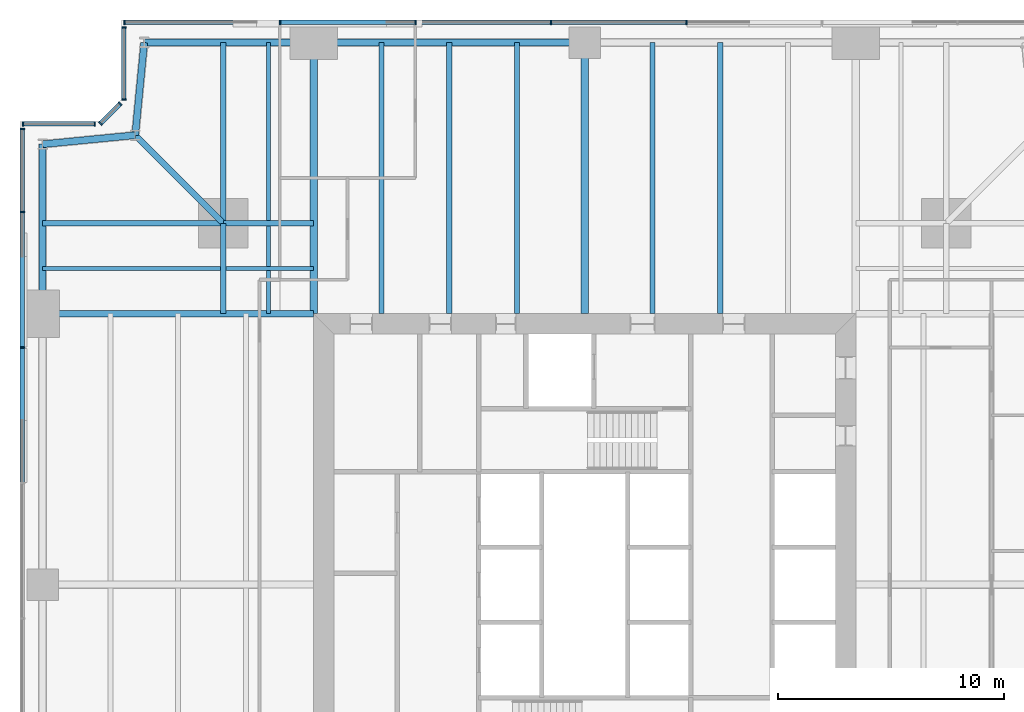
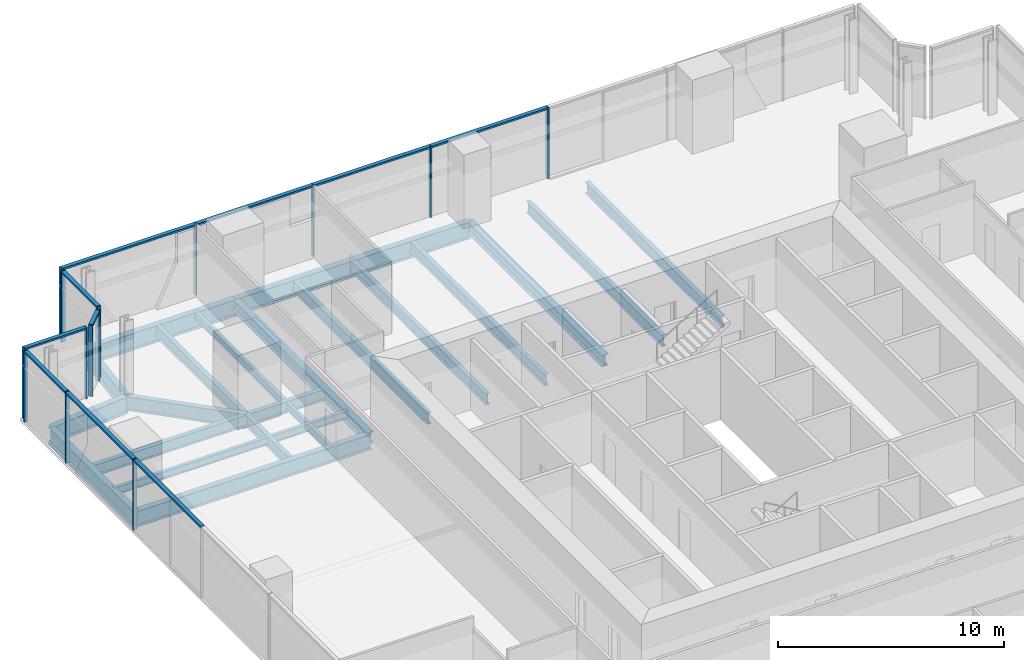
# One storey, part 6 of 13: 24 members, 23 beams, 5 elements without a shape of their own.
"""IFC4 building model written with IfcOpenShell, lengths in metres."""

from ifc_helpers import new_model, si_unit, direction, frame, origin, origin_2d, place, context, subcontext, project, spatial, rectangle, i_section, extrude, material, material_profile, profile_set, type_object, element, aggregate, save


model = new_model("IFC4")

# Units and contexts
model_context = context("Model", 3, precision=1e-05, world=origin(), true_north=direction((0.0, 1.0)))
body_context = subcontext(model_context, "Body", "Model", "MODEL_VIEW")
ifc_project = project(units=[si_unit("LENGTHUNIT", "METRE"), si_unit("AREAUNIT", "SQUARE_METRE"), si_unit("VOLUMEUNIT", "CUBIC_METRE"), si_unit("PLANEANGLEUNIT", "RADIAN"), si_unit("MASSUNIT", "GRAM", prefix="KILO")], contexts=[model_context])

# Site, building, storey
site_placement = place(None, origin())
site = spatial("IfcSite", under=ifc_project, at=site_placement, CompositionType="ELEMENT")
building_placement = place(site_placement, origin())
building = spatial("IfcBuilding", under=site, at=building_placement, Name="Fenwick Lantern Interchange", CompositionType="ELEMENT")
storey_placement = place(building_placement, frame((0.0, 0.0, 126.39990234375)))
storey = spatial("IfcBuildingStorey", under=building, at=storey_placement, Name="L29", CompositionType="ELEMENT", Elevation=126.39990234375)

# Beams
ifc_material_1 = material(Name="Steel ASTM A992 Grade 50", Category="steel")
ifc_material_profile_1 = material_profile(ifc_material_1, i_section(OverallWidth=0.3046875, OverallDepth=0.911865234375, WebThickness=0.015869140625, FlangeThickness=0.02392578125, at=origin_2d()), Name="W36X150")
ifc_profile_set_1 = profile_set([ifc_material_profile_1], Name="Steel ASTM A992 Grade 50")
beam_type_1 = type_object("IfcBeamType", Name="EDGE BEAM W36X150", PredefinedType="SPANDREL", material=ifc_profile_set_1)
beam_1_placement = place(storey_placement, frame((25.0, 49.0, -0.605712890625), z_axis=(-1.0, 0.0, 0.0), x_axis=(0.0, -1.0, 0.0)))
element("IfcBeam", 1, at=beam_1_placement, inside=storey, type_object=beam_type_1, Name="L29/FR/N/EB3", PredefinedType="SPANDREL", context=body_context, shape_type="SweptSolid", body=[
    extrude(i_section(OverallWidth=0.3046875, OverallDepth=0.911865234375, WebThickness=0.015869140625, FlangeThickness=0.02392578125, at=origin_2d()), origin(), (0.0, 0.0, 1.0), 12.0),
])
beam_2_placement = place(storey_placement, frame((13.0, 49.0, -0.605712890625), z_axis=(-1.0, 0.0, 0.0), x_axis=(0.0, -1.0, 0.0)))
element("IfcBeam", 2, at=beam_2_placement, inside=storey, type_object=beam_type_1, Name="L29/FR/N/EB4", PredefinedType="SPANDREL", context=body_context, shape_type="SweptSolid", body=[
    extrude(i_section(OverallWidth=0.3046875, OverallDepth=0.911865234375, WebThickness=0.015869140625, FlangeThickness=0.02392578125, at=origin_2d()), origin(), (0.0, 0.0, 1.0), 7.5),
])
for number, where, z_axis, x_axis, name in (
    (3, (5.5, 49.0, -0.605712890625), (-0.097074191287, -0.995277148028, 0.0), (0.995277148028, -0.097074191287, 0.0), "L29/FR/N/EBR1"),
    (4, (5.10009765625, 44.89990234375, -0.605712890625), (-0.995277148028, -0.097074191287, 0.0), (0.097074191287, -0.995277148028, 0.0), "L29/FR/N/EBR2"),
):
    element("IfcBeam", number, at=place(storey_placement, frame(where, z_axis=z_axis, x_axis=x_axis)), inside=storey, type_object=beam_type_1, Name=name, PredefinedType="SPANDREL", context=body_context, shape_type="SweptSolid", body=[
        extrude(i_section(OverallWidth=0.3046875, OverallDepth=0.911865234375, WebThickness=0.015869140625, FlangeThickness=0.02392578125, at=origin_2d()), origin(), (0.0, 0.0, 1.0), 4.11962890625),
    ])
beam_3_placement = place(storey_placement, frame((1.0, 44.5, -0.605712890625), z_axis=(0.0, -1.0, 0.0), x_axis=(1.0, 0.0, 0.0)))
element("IfcBeam", 5, at=beam_3_placement, inside=storey, type_object=beam_type_1, Name="L29/FR/W/EB1", PredefinedType="SPANDREL", context=body_context, shape_type="SweptSolid", body=[
    extrude(i_section(OverallWidth=0.3046875, OverallDepth=0.911865234375, WebThickness=0.015869140625, FlangeThickness=0.02392578125, at=origin_2d()), origin(), (0.0, 0.0, 1.0), 7.5),
])
ifc_material_profile_2 = material_profile(ifc_material_1, i_section(OverallWidth=0.22900390625, OverallDepth=0.612060546875, WebThickness=0.011962890625, FlangeThickness=0.01953125, at=origin_2d()), Name="W24X84")
ifc_profile_set_2 = profile_set([ifc_material_profile_2], Name="Steel ASTM A992 Grade 50")
beam_type_2 = type_object("IfcBeamType", Name="FLOOR BEAM W24X84", PredefinedType="BEAM", material=ifc_profile_set_2)
for number, where, z_axis, x_axis, name in (
    (6, (31.0, 49.0, -0.4560546875), (0.0, -1.0, 0.0), (1.0, 0.0, 0.0), "L29/FR/N/R03"),
    (7, (28.0, 49.0, -0.4560546875), (0.0, -1.0, 0.0), (1.0, 0.0, 0.0), "L29/FR/N/R04"),
    (8, (22.0, 49.0, -0.4560546875), (0.0, -1.0, 0.0), (1.0, 0.0, 0.0), "L29/FR/N/R06"),
    (9, (19.0, 49.0, -0.4560546875), (0.0, -1.0, 0.0), (1.0, 0.0, 0.0), "L29/FR/N/R07"),
    (10, (16.0, 49.0, -0.4560546875), (0.0, -1.0, 0.0), (1.0, 0.0, 0.0), "L29/FR/N/R08"),
):
    element("IfcBeam", number, at=place(storey_placement, frame(where, z_axis=z_axis, x_axis=x_axis)), inside=storey, type_object=beam_type_2, Name=name, PredefinedType="BEAM", context=body_context, shape_type="SweptSolid", body=[
        extrude(i_section(OverallWidth=0.22900390625, OverallDepth=0.612060546875, WebThickness=0.011962890625, FlangeThickness=0.01953125, at=origin_2d()), origin(), (0.0, 0.0, 1.0), 12.0),
    ])
ifc_material_profile_3 = material_profile(ifc_material_1, i_section(OverallWidth=0.177734375, OverallDepth=0.406494140625, WebThickness=0.0078125, FlangeThickness=0.012939453125, at=origin_2d()), Name="W16X40")
ifc_profile_set_3 = profile_set([ifc_material_profile_3], Name="Steel ASTM A992 Grade 50")
beam_type_3 = type_object("IfcBeamType", Name="INFILL BEAM W16X40", PredefinedType="JOIST", material=ifc_profile_set_3)
beam_4_placement = place(storey_placement, frame((1.0, 39.0, -0.35302734375), z_axis=(1.0, 0.0, 0.0), x_axis=(0.0, 1.0, 0.0)))
element("IfcBeam", 11, at=beam_4_placement, inside=storey, type_object=beam_type_3, Name="L29/FR/W/J1", PredefinedType="JOIST", context=body_context, shape_type="SweptSolid", body=[
    extrude(i_section(OverallWidth=0.177734375, OverallDepth=0.406494140625, WebThickness=0.0078125, FlangeThickness=0.012939453125, at=origin_2d()), origin(), (0.0, 0.0, 1.0), 7.885498046875),
])
beam_5_placement = place(storey_placement, frame((9.114501953125, 39.0, -0.35302734375), z_axis=(1.0, 0.0, 0.0), x_axis=(0.0, 1.0, 0.0)))
element("IfcBeam", 12, at=beam_5_placement, inside=storey, type_object=beam_type_3, Name="L29/FR/W/J2", PredefinedType="JOIST", context=body_context, shape_type="SweptSolid", body=[
    extrude(i_section(OverallWidth=0.177734375, OverallDepth=0.406494140625, WebThickness=0.0078125, FlangeThickness=0.012939453125, at=origin_2d()), origin(), (0.0, 0.0, 1.0), 3.885498046875),
])
beam_6_placement = place(storey_placement, frame((11.0, 49.0, -0.35302734375), z_axis=(0.0, -1.0, 0.0), x_axis=(1.0, 0.0, 0.0)))
element("IfcBeam", 13, at=beam_6_placement, inside=storey, type_object=beam_type_3, Name="L29/FR/W/J3", PredefinedType="JOIST", context=body_context, shape_type="SweptSolid", body=[
    extrude(i_section(OverallWidth=0.177734375, OverallDepth=0.406494140625, WebThickness=0.0078125, FlangeThickness=0.012939453125, at=origin_2d()), origin(), (0.0, 0.0, 1.0), 7.885498046875),
])
beam_7_placement = place(storey_placement, frame((11.0, 40.885498046875, -0.35302734375), z_axis=(0.0, -1.0, 0.0), x_axis=(1.0, 0.0, 0.0)))
element("IfcBeam", 14, at=beam_7_placement, inside=storey, type_object=beam_type_3, Name="L29/FR/W/J4", PredefinedType="JOIST", context=body_context, shape_type="SweptSolid", body=[
    extrude(i_section(OverallWidth=0.177734375, OverallDepth=0.406494140625, WebThickness=0.0078125, FlangeThickness=0.012939453125, at=origin_2d()), origin(), (0.0, 0.0, 1.0), 1.796630859375),
])
beam_8_placement = place(storey_placement, frame((11.0, 38.9111328125, -0.35302734375), z_axis=(0.0, -1.0, 0.0), x_axis=(1.0, 0.0, 0.0)))
element("IfcBeam", 15, at=beam_8_placement, inside=storey, type_object=beam_type_3, Name="L29/FR/W/J5", PredefinedType="JOIST", context=body_context, shape_type="SweptSolid", body=[
    extrude(i_section(OverallWidth=0.177734375, OverallDepth=0.406494140625, WebThickness=0.0078125, FlangeThickness=0.012939453125, at=origin_2d()), origin(), (0.0, 0.0, 1.0), 1.9111328125),
])
ifc_material_profile_4 = material_profile(ifc_material_1, i_section(OverallWidth=0.22900390625, OverallDepth=0.612060546875, WebThickness=0.011962890625, FlangeThickness=0.01953125, at=origin_2d()), Name="W24X84")
ifc_profile_set_4 = profile_set([ifc_material_profile_4], Name="Steel ASTM A992 Grade 50")
beam_type_4 = type_object("IfcBeamType", Name="MEGA COLUMN BEAM W24X84", PredefinedType="BEAM", material=ifc_profile_set_4)
for number, where, z_axis, x_axis, name in (
    (16, (9.0, 41.0, -0.4560546875), (-1.0, 0.0, 0.0), (0.0, -1.0, 0.0), "L29/FR/W/MB1"),
    (17, (9.0, 41.0, -0.4560546875), (0.0, 1.0, 0.0), (-1.0, 0.0, 0.0), "L29/FR/W/MB2"),
):
    element("IfcBeam", number, at=place(storey_placement, frame(where, z_axis=z_axis, x_axis=x_axis)), inside=storey, type_object=beam_type_4, Name=name, PredefinedType="BEAM", context=body_context, shape_type="SweptSolid", body=[
        extrude(i_section(OverallWidth=0.22900390625, OverallDepth=0.612060546875, WebThickness=0.011962890625, FlangeThickness=0.01953125, at=origin_2d()), origin(), (0.0, 0.0, 1.0), 8.0),
    ])
for number, where, z_axis, x_axis, name in (
    (18, (9.0, 41.0, -0.4560546875), (0.0, -1.0, 0.0), (1.0, 0.0, 0.0), "L29/FR/W/MB3"),
    (19, (9.0, 41.0, -0.4560546875), (1.0, 0.0, 0.0), (0.0, 1.0, 0.0), "L29/FR/W/MB4"),
):
    element("IfcBeam", number, at=place(storey_placement, frame(where, z_axis=z_axis, x_axis=x_axis)), inside=storey, type_object=beam_type_4, Name=name, PredefinedType="BEAM", context=body_context, shape_type="SweptSolid", body=[
        extrude(i_section(OverallWidth=0.22900390625, OverallDepth=0.612060546875, WebThickness=0.011962890625, FlangeThickness=0.01953125, at=origin_2d()), origin(), (0.0, 0.0, 1.0), 4.0),
    ])
ifc_material_profile_5 = material_profile(ifc_material_1, i_section(OverallWidth=0.32763671875, OverallDepth=0.622314453125, WebThickness=0.015380859375, FlangeThickness=0.0244140625, at=origin_2d()), Name="W24X131")
ifc_profile_set_5 = profile_set([ifc_material_profile_5], Name="Steel ASTM A992 Grade 50")
beam_type_5 = type_object("IfcBeamType", Name="MOMENT-CONNECTED GIRDER W24X131", PredefinedType="BEAM", material=ifc_profile_set_5)
for number, where, z_axis, x_axis, name in (
    (20, (25.0, 49.0, -0.4609375), (0.0, -1.0, 0.0), (1.0, 0.0, 0.0), "L29/FR/N/R05"),
    (21, (13.0, 49.0, -0.4609375), (0.0, -1.0, 0.0), (1.0, 0.0, 0.0), "L29/FR/N/R09"),
):
    element("IfcBeam", number, at=place(storey_placement, frame(where, z_axis=z_axis, x_axis=x_axis)), inside=storey, type_object=beam_type_5, Name=name, PredefinedType="BEAM", context=body_context, shape_type="SweptSolid", body=[
        extrude(i_section(OverallWidth=0.32763671875, OverallDepth=0.622314453125, WebThickness=0.015380859375, FlangeThickness=0.0244140625, at=origin_2d()), origin(), (0.0, 0.0, 1.0), 12.0),
    ])
ifc_material_profile_6 = material_profile(ifc_material_1, i_section(OverallWidth=0.2919921875, OverallDepth=0.845703125, WebThickness=0.015380859375, FlangeThickness=0.0244140625, at=origin_2d()), Name="W33X141")
ifc_profile_set_6 = profile_set([ifc_material_profile_6], Name="Steel ASTM A992 Grade 50")
beam_type_6 = type_object("IfcBeamType", Name="MOMENT-CONNECTED GIRDER W33X141", PredefinedType="BEAM", material=ifc_profile_set_6)
beam_9_placement = place(storey_placement, frame((1.0, 37.0, -0.57275390625), z_axis=(1.0, 0.0, 0.0), x_axis=(0.0, 1.0, 0.0)))
element("IfcBeam", 22, at=beam_9_placement, inside=storey, type_object=beam_type_6, Name="L29/FR/W/R01", PredefinedType="BEAM", context=body_context, shape_type="SweptSolid", body=[
    extrude(i_section(OverallWidth=0.2919921875, OverallDepth=0.845703125, WebThickness=0.015380859375, FlangeThickness=0.0244140625, at=origin_2d()), origin(), (0.0, 0.0, 1.0), 12.0),
])
ifc_material_profile_7 = material_profile(ifc_material_1, i_section(OverallWidth=0.2666015625, OverallDepth=0.7568359375, WebThickness=0.013916015625, FlangeThickness=0.019287109375, at=origin_2d()), Name="W30X108")
ifc_profile_set_7 = profile_set([ifc_material_profile_7], Name="Steel ASTM A992 Grade 50")
beam_type_7 = type_object("IfcBeamType", Name="NOTCH BEAM W30X108", PredefinedType="BEAM", material=ifc_profile_set_7)
beam_10_placement = place(storey_placement, frame((9.0, 41.0, -0.5283203125), z_axis=(-0.707106781187, 0.707106781187, 0.0), x_axis=(-0.707106781187, -0.707106781187, 0.0)))
element("IfcBeam", 23, at=beam_10_placement, inside=storey, type_object=beam_type_7, Name="L29/FR/W/TG", PredefinedType="BEAM", context=body_context, shape_type="SweptSolid", body=[
    extrude(i_section(OverallWidth=0.2666015625, OverallDepth=0.7568359375, WebThickness=0.013916015625, FlangeThickness=0.019287109375, at=origin_2d()), origin(), (0.0, 0.0, 1.0), 5.515380859375),
])

# Curtain wall, members
ifc_material_2 = material(Name="Aluminium curtain wall frame", Category="aluminium")
curtain_wall_type = type_object("IfcCurtainWallType", Name="OFFICE CURTAIN WALL", PredefinedType="USERDEFINED", material=ifc_material_2)
curtain_wall_1_placement = place(storey_placement, origin())
curtain_wall_1 = element("IfcCurtainWall", 24, at=curtain_wall_1_placement, inside=storey, type_object=curtain_wall_type, Name="Office curtain wall 09", ObjectType="OFFICE CURTAIN WALL", PredefinedType="USERDEFINED")
ifc_material_3 = material(Name="Aluminium extrusion", Category="aluminium")
ifc_material_profile_8 = material_profile(ifc_material_3, rectangle(XDim=0.199951171875, YDim=0.06494140625, at=origin_2d()), Name="OFFICE CURTAIN WALL MULLION 65 X 200")
ifc_profile_set_8 = profile_set([ifc_material_profile_8], Name="Aluminium extrusion")
member_type_1 = type_object("IfcMemberType", Name="OFFICE CURTAIN WALL MULLION 65 X 200", PredefinedType="MULLION", material=ifc_profile_set_8)
member_1_placement = place(storey_placement, frame((29.5, 49.89990234375, 0.0), z_axis=(0.0, 0.0, 1.0), x_axis=(0.0, -1.0, 0.0)))
member_1 = element("IfcMember", 25, at=member_1_placement, type_object=member_type_1, Name="L29/CW/09/M03", PredefinedType="MULLION", context=body_context, shape_type="SweptSolid", body=[
    extrude(rectangle(XDim=0.199951171875, YDim=0.06494140625, at=origin_2d()), origin(), (0.0, 0.0, 1.0), 3.85009765625),
])
member_2_placement = place(storey_placement, frame((23.5, 49.89990234375, 0.0), z_axis=(0.0, 0.0, 1.0), x_axis=(0.0, -1.0, 0.0)))
member_2 = element("IfcMember", 26, at=member_2_placement, type_object=member_type_1, Name="L29/CW/09/M04", PredefinedType="MULLION", context=body_context, shape_type="SweptSolid", body=[
    extrude(rectangle(XDim=0.199951171875, YDim=0.06494140625, at=origin_2d()), origin(), (0.0, 0.0, 1.0), 3.85009765625),
])
member_3_placement = place(storey_placement, frame((17.5, 49.89990234375, 0.0), z_axis=(0.0, 0.0, 1.0), x_axis=(0.0, -1.0, 0.0)))
member_3 = element("IfcMember", 27, at=member_3_placement, type_object=member_type_1, Name="L29/CW/09/M05", PredefinedType="MULLION", context=body_context, shape_type="SweptSolid", body=[
    extrude(rectangle(XDim=0.199951171875, YDim=0.06494140625, at=origin_2d()), origin(), (0.0, 0.0, 1.0), 3.85009765625),
])
member_4_placement = place(storey_placement, frame((11.5, 49.89990234375, 0.0), z_axis=(0.0, 0.0, 1.0), x_axis=(0.0, -1.0, 0.0)))
member_4 = element("IfcMember", 28, at=member_4_placement, type_object=member_type_1, Name="L29/CW/09/M06", PredefinedType="MULLION", context=body_context, shape_type="SweptSolid", body=[
    extrude(rectangle(XDim=0.199951171875, YDim=0.06494140625, at=origin_2d()), origin(), (0.0, 0.0, 1.0), 3.85009765625),
])
member_5_placement = place(storey_placement, frame((4.632568359375, 49.89990234375, 0.0), z_axis=(0.0, 0.0, 1.0), x_axis=(0.0, -1.0, 0.0)))
member_5 = element("IfcMember", 29, at=member_5_placement, type_object=member_type_1, Name="L29/CW/09/M07", PredefinedType="MULLION", context=body_context, shape_type="SweptSolid", body=[
    extrude(rectangle(XDim=0.199951171875, YDim=0.06494140625, at=origin_2d()), origin(), (0.0, 0.0, 1.0), 3.85009765625),
])

curtain_wall_2_placement = place(storey_placement, origin())
curtain_wall_2 = element("IfcCurtainWall", 30, at=curtain_wall_2_placement, inside=storey, type_object=curtain_wall_type, Name="Office curtain wall 10", ObjectType="OFFICE CURTAIN WALL", PredefinedType="USERDEFINED")
member_6_placement = place(storey_placement, frame((4.60009765625, 49.66748046875, 0.0), z_axis=(0.0, 0.0, 1.0), x_axis=(1.0, 0.0, 0.0)))
member_6 = element("IfcMember", 31, at=member_6_placement, type_object=member_type_1, Name="L29/CW/10/M00", PredefinedType="MULLION", context=body_context, shape_type="SweptSolid", body=[
    extrude(rectangle(XDim=0.199951171875, YDim=0.06494140625, at=origin_2d()), origin(), (0.0, 0.0, 1.0), 3.85009765625),
])
member_7_placement = place(storey_placement, frame((4.60009765625, 46.490966796875, 0.0), z_axis=(0.0, 0.0, 1.0), x_axis=(1.0, 0.0, 0.0)))
member_7 = element("IfcMember", 32, at=member_7_placement, type_object=member_type_1, Name="L29/CW/10/M01", PredefinedType="MULLION", context=body_context, shape_type="SweptSolid", body=[
    extrude(rectangle(XDim=0.199951171875, YDim=0.06494140625, at=origin_2d()), origin(), (0.0, 0.0, 1.0), 3.85009765625),
])

curtain_wall_3_placement = place(storey_placement, origin())
curtain_wall_3 = element("IfcCurtainWall", 33, at=curtain_wall_3_placement, inside=storey, type_object=curtain_wall_type, Name="Office curtain wall 11", ObjectType="OFFICE CURTAIN WALL", PredefinedType="USERDEFINED")
member_8_placement = place(storey_placement, frame((4.435546875, 46.294189453125, 0.0), z_axis=(0.0, 0.0, 1.0), x_axis=(0.707106781187, -0.707106781187, 0.0)))
member_8 = element("IfcMember", 34, at=member_8_placement, type_object=member_type_1, Name="L29/CW/11/M00", PredefinedType="MULLION", context=body_context, shape_type="SweptSolid", body=[
    extrude(rectangle(XDim=0.199951171875, YDim=0.06494140625, at=origin_2d()), origin(), (0.0, 0.0, 1.0), 3.85009765625),
])
member_9_placement = place(storey_placement, frame((3.564453125, 45.423095703125, 0.0), z_axis=(0.0, 0.0, 1.0), x_axis=(0.707106781187, -0.707106781187, 0.0)))
member_9 = element("IfcMember", 35, at=member_9_placement, type_object=member_type_1, Name="L29/CW/11/M01", PredefinedType="MULLION", context=body_context, shape_type="SweptSolid", body=[
    extrude(rectangle(XDim=0.199951171875, YDim=0.06494140625, at=origin_2d()), origin(), (0.0, 0.0, 1.0), 3.85009765625),
])

curtain_wall_4_placement = place(storey_placement, origin())
curtain_wall_4 = element("IfcCurtainWall", 36, at=curtain_wall_4_placement, inside=storey, type_object=curtain_wall_type, Name="Office curtain wall 12", ObjectType="OFFICE CURTAIN WALL", PredefinedType="USERDEFINED")
member_10_placement = place(storey_placement, frame((3.308837890625, 45.39990234375, 0.0), z_axis=(0.0, 0.0, 1.0), x_axis=(0.0, -1.0, 0.0)))
member_10 = element("IfcMember", 37, at=member_10_placement, type_object=member_type_1, Name="L29/CW/12/M00", PredefinedType="MULLION", context=body_context, shape_type="SweptSolid", body=[
    extrude(rectangle(XDim=0.199951171875, YDim=0.06494140625, at=origin_2d()), origin(), (0.0, 0.0, 1.0), 3.85009765625),
])
member_11_placement = place(storey_placement, frame((0.132568359375, 45.39990234375, 0.0), z_axis=(0.0, 0.0, 1.0), x_axis=(0.0, -1.0, 0.0)))
member_11 = element("IfcMember", 38, at=member_11_placement, type_object=member_type_1, Name="L29/CW/12/M01", PredefinedType="MULLION", context=body_context, shape_type="SweptSolid", body=[
    extrude(rectangle(XDim=0.199951171875, YDim=0.06494140625, at=origin_2d()), origin(), (0.0, 0.0, 1.0), 3.85009765625),
])

curtain_wall_5_placement = place(storey_placement, origin())
curtain_wall_5 = element("IfcCurtainWall", 39, at=curtain_wall_5_placement, inside=storey, type_object=curtain_wall_type, Name="Office curtain wall 13", ObjectType="OFFICE CURTAIN WALL", PredefinedType="USERDEFINED")
member_12_placement = place(storey_placement, frame((0.10009765625, 45.16748046875, 0.0), z_axis=(0.0, 0.0, 1.0), x_axis=(1.0, 0.0, 0.0)))
member_12 = element("IfcMember", 40, at=member_12_placement, type_object=member_type_1, Name="L29/CW/13/M00", PredefinedType="MULLION", context=body_context, shape_type="SweptSolid", body=[
    extrude(rectangle(XDim=0.199951171875, YDim=0.06494140625, at=origin_2d()), origin(), (0.0, 0.0, 1.0), 3.85009765625),
])
member_13_placement = place(storey_placement, frame((0.10009765625, 41.5, 0.0), z_axis=(0.0, 0.0, 1.0), x_axis=(1.0, 0.0, 0.0)))
member_13 = element("IfcMember", 41, at=member_13_placement, type_object=member_type_1, Name="L29/CW/13/M01", PredefinedType="MULLION", context=body_context, shape_type="SweptSolid", body=[
    extrude(rectangle(XDim=0.199951171875, YDim=0.06494140625, at=origin_2d()), origin(), (0.0, 0.0, 1.0), 3.85009765625),
])
member_14_placement = place(storey_placement, frame((0.10009765625, 35.5, 0.0), z_axis=(0.0, 0.0, 1.0), x_axis=(1.0, 0.0, 0.0)))
member_14 = element("IfcMember", 42, at=member_14_placement, type_object=member_type_1, Name="L29/CW/13/M02", PredefinedType="MULLION", context=body_context, shape_type="SweptSolid", body=[
    extrude(rectangle(XDim=0.199951171875, YDim=0.06494140625, at=origin_2d()), origin(), (0.0, 0.0, 1.0), 3.85009765625),
])

# Member
ifc_material_profile_9 = material_profile(ifc_material_3, rectangle(XDim=0.199951171875, YDim=0.10009765625, at=origin_2d()), Name="OFFICE CURTAIN WALL TRANSOM 100 X 200")
ifc_profile_set_9 = profile_set([ifc_material_profile_9], Name="Aluminium extrusion")
member_type_2 = type_object("IfcMemberType", Name="OFFICE CURTAIN WALL TRANSOM 100 X 200", PredefinedType="MULLION", material=ifc_profile_set_9)
member_15_placement = place(storey_placement, frame((29.467529296875, 49.89990234375, 3.800048828125), z_axis=(-1.0, 0.0, 0.0), x_axis=(0.0, -1.0, 0.0)))
member_15 = element("IfcMember", 43, at=member_15_placement, type_object=member_type_2, Name="L29/CW/09/T03", PredefinedType="MULLION", context=body_context, shape_type="SweptSolid", body=[
    extrude(rectangle(XDim=0.199951171875, YDim=0.10009765625, at=origin_2d()), origin(), (0.0, 0.0, 1.0), 5.93505859375),
])

member_16_placement = place(storey_placement, frame((23.467529296875, 49.89990234375, 3.800048828125), z_axis=(-1.0, 0.0, 0.0), x_axis=(0.0, -1.0, 0.0)))
member_16 = element("IfcMember", 44, at=member_16_placement, type_object=member_type_2, Name="L29/CW/09/T04", PredefinedType="MULLION", context=body_context, shape_type="SweptSolid", body=[
    extrude(rectangle(XDim=0.199951171875, YDim=0.10009765625, at=origin_2d()), origin(), (0.0, 0.0, 1.0), 5.93505859375),
])

member_17_placement = place(storey_placement, frame((17.467529296875, 49.89990234375, 3.800048828125), z_axis=(-1.0, 0.0, 0.0), x_axis=(0.0, -1.0, 0.0)))
member_17 = element("IfcMember", 45, at=member_17_placement, type_object=member_type_2, Name="L29/CW/09/T05", PredefinedType="MULLION", context=body_context, shape_type="SweptSolid", body=[
    extrude(rectangle(XDim=0.199951171875, YDim=0.10009765625, at=origin_2d()), origin(), (0.0, 0.0, 1.0), 5.93505859375),
])

member_18_placement = place(storey_placement, frame((11.467529296875, 49.89990234375, 3.800048828125), z_axis=(-1.0, 0.0, 0.0), x_axis=(0.0, -1.0, 0.0)))
member_18 = element("IfcMember", 46, at=member_18_placement, type_object=member_type_2, Name="L29/CW/09/T06", PredefinedType="MULLION", context=body_context, shape_type="SweptSolid", body=[
    extrude(rectangle(XDim=0.199951171875, YDim=0.10009765625, at=origin_2d()), origin(), (0.0, 0.0, 1.0), 6.802490234375),
])

aggregate(curtain_wall_1, [member_1, member_2, member_3, member_4, member_5, member_15, member_16, member_17, member_18])

member_19_placement = place(storey_placement, frame((4.60009765625, 49.635009765625, 3.800048828125), z_axis=(0.0, -1.0, 0.0), x_axis=(1.0, 0.0, 0.0)))
member_19 = element("IfcMember", 47, at=member_19_placement, type_object=member_type_2, Name="L29/CW/10/T00", PredefinedType="MULLION", context=body_context, shape_type="SweptSolid", body=[
    extrude(rectangle(XDim=0.199951171875, YDim=0.10009765625, at=origin_2d()), origin(), (0.0, 0.0, 1.0), 3.111328125),
])

aggregate(curtain_wall_2, [member_6, member_7, member_19])

member_20_placement = place(storey_placement, frame((4.41259765625, 46.271240234375, 3.800048828125), z_axis=(-0.707106781187, -0.707106781187, 0.0), x_axis=(0.707106781187, -0.707106781187, 0.0)))
member_20 = element("IfcMember", 48, at=member_20_placement, type_object=member_type_2, Name="L29/CW/11/T00", PredefinedType="MULLION", context=body_context, shape_type="SweptSolid", body=[
    extrude(rectangle(XDim=0.199951171875, YDim=0.10009765625, at=origin_2d()), origin(), (0.0, 0.0, 1.0), 1.1669921875),
])

aggregate(curtain_wall_3, [member_8, member_9, member_20])

member_21_placement = place(storey_placement, frame((3.2763671875, 45.39990234375, 3.800048828125), z_axis=(-1.0, 0.0, 0.0), x_axis=(0.0, -1.0, 0.0)))
member_21 = element("IfcMember", 49, at=member_21_placement, type_object=member_type_2, Name="L29/CW/12/T00", PredefinedType="MULLION", context=body_context, shape_type="SweptSolid", body=[
    extrude(rectangle(XDim=0.199951171875, YDim=0.10009765625, at=origin_2d()), origin(), (0.0, 0.0, 1.0), 3.111328125),
])

aggregate(curtain_wall_4, [member_10, member_11, member_21])

member_22_placement = place(storey_placement, frame((0.10009765625, 45.135009765625, 3.800048828125), z_axis=(0.0, -1.0, 0.0), x_axis=(1.0, 0.0, 0.0)))
member_22 = element("IfcMember", 50, at=member_22_placement, type_object=member_type_2, Name="L29/CW/13/T00", PredefinedType="MULLION", context=body_context, shape_type="SweptSolid", body=[
    extrude(rectangle(XDim=0.199951171875, YDim=0.10009765625, at=origin_2d()), origin(), (0.0, 0.0, 1.0), 3.6025390625),
])

member_23_placement = place(storey_placement, frame((0.10009765625, 41.467529296875, 3.800048828125), z_axis=(0.0, -1.0, 0.0), x_axis=(1.0, 0.0, 0.0)))
member_23 = element("IfcMember", 51, at=member_23_placement, type_object=member_type_2, Name="L29/CW/13/T01", PredefinedType="MULLION", context=body_context, shape_type="SweptSolid", body=[
    extrude(rectangle(XDim=0.199951171875, YDim=0.10009765625, at=origin_2d()), origin(), (0.0, 0.0, 1.0), 5.93505859375),
])

member_24_placement = place(storey_placement, frame((0.10009765625, 35.467529296875, 3.800048828125), z_axis=(0.0, -1.0, 0.0), x_axis=(1.0, 0.0, 0.0)))
member_24 = element("IfcMember", 52, at=member_24_placement, type_object=member_type_2, Name="L29/CW/13/T02", PredefinedType="MULLION", context=body_context, shape_type="SweptSolid", body=[
    extrude(rectangle(XDim=0.199951171875, YDim=0.10009765625, at=origin_2d()), origin(), (0.0, 0.0, 1.0), 5.93505859375),
])

aggregate(curtain_wall_5, [member_12, member_13, member_14, member_22, member_23, member_24])

save(model, "model.ifc")
